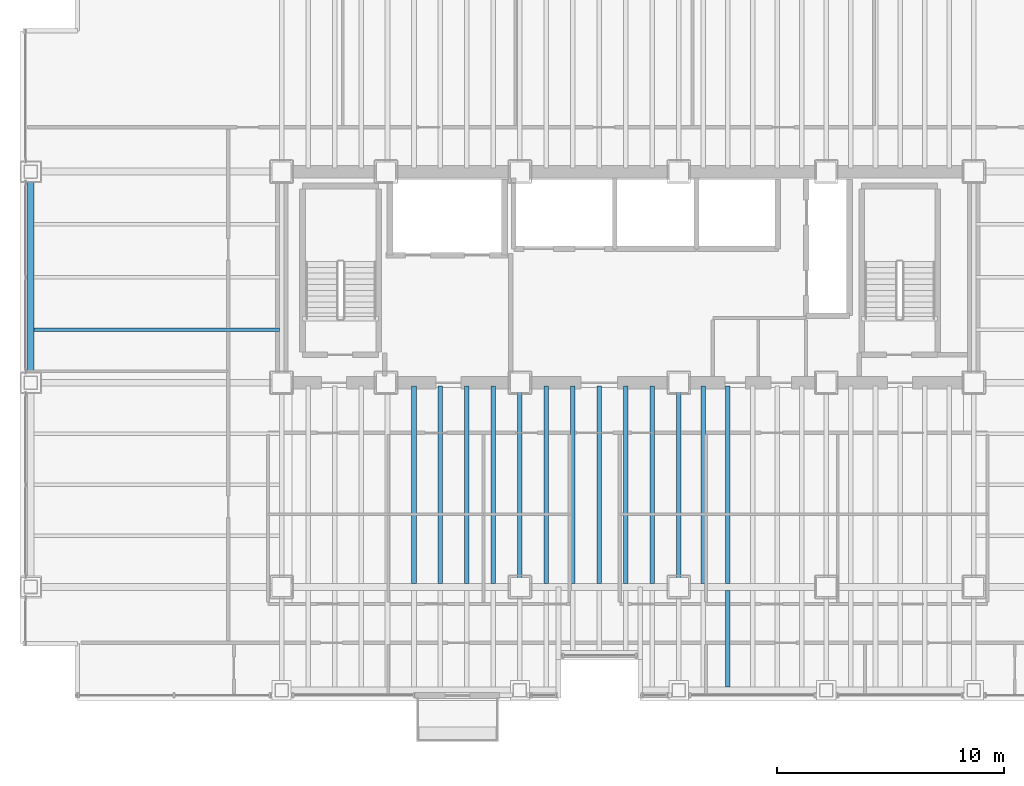
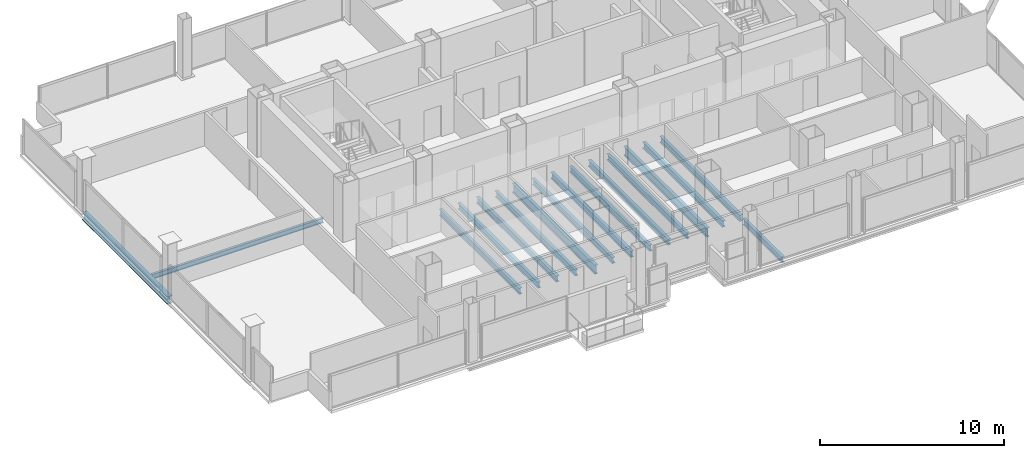
# One storey, part 5 of 21: 16 beams.
"""IFC4 building model written with IfcOpenShell, lengths in metres."""

from ifc_helpers import new_model, si_unit, direction, frame, origin, origin_2d, place, context, subcontext, project, spatial, i_section, extrude, material, material_profile, profile_set, type_object, element, save


model = new_model("IFC4")

# Units and contexts
model_context = context("Model", 3, precision=1e-05, world=origin(), true_north=direction((0.0, 1.0)))
body_context = subcontext(model_context, "Body", "Model", "MODEL_VIEW")
ifc_project = project(units=[si_unit("LENGTHUNIT", "METRE"), si_unit("AREAUNIT", "SQUARE_METRE"), si_unit("VOLUMEUNIT", "CUBIC_METRE"), si_unit("PLANEANGLEUNIT", "RADIAN"), si_unit("MASSUNIT", "GRAM", prefix="KILO")], contexts=[model_context])

# Site, building, storey
site_placement = place(None, origin())
site = spatial("IfcSite", under=ifc_project, at=site_placement, CompositionType="ELEMENT")
building_placement = place(site_placement, origin())
building = spatial("IfcBuilding", under=site, at=building_placement, Name="Noeulbin Bourse Tower", CompositionType="ELEMENT")
storey_placement = place(building_placement, frame((0.0, 0.0, 49.89990234375)))
storey = spatial("IfcBuildingStorey", under=building, at=storey_placement, Name="L12", CompositionType="ELEMENT", Elevation=49.89990234375)

# Beams
ifc_material = material(Name="Steel S355", Category="steel")
ifc_material_profile_1 = material_profile(ifc_material, i_section(OverallWidth=0.199951171875, OverallDepth=0.60009765625, WebThickness=0.010986328125, FlangeThickness=0.01708984375, FilletRadius=0.02197265625, at=origin_2d()), Name="H-600x200x11x17", Category="LoadBearing")
ifc_profile_set_1 = profile_set([ifc_material_profile_1], Name="Steel S355")
beam_type_1 = type_object("IfcBeamType", Name="BM-GRD-600", PredefinedType="USERDEFINED", material=ifc_profile_set_1)
for number, where, z_axis, x_axis, name in (
    (1, (24.0, 20.0, -0.47998046875), (0.0, 1.0, 0.0), (-1.0, 0.0, 0.0), "Tower Primary Girder NS L12-2.2"),
    (2, (31.0, 20.0, -0.47998046875), (0.0, 1.0, 0.0), (-1.0, 0.0, 0.0), "Tower Primary Girder NS L12-3.2"),
):
    element("IfcBeam", number, at=place(storey_placement, frame(where, z_axis=z_axis, x_axis=x_axis)), inside=storey, type_object=beam_type_1, Name=name, ObjectType="GIRDER", PredefinedType="USERDEFINED", context=body_context, shape_type="SweptSolid", body=[
        extrude(i_section(OverallWidth=0.199951171875, OverallDepth=0.60009765625, WebThickness=0.010986328125, FlangeThickness=0.01708984375, FilletRadius=0.02197265625, at=origin_2d()), origin(), (0.0, 0.0, 1.0), 9.0),
    ])
ifc_material_profile_2 = material_profile(ifc_material, i_section(OverallWidth=0.159912109375, OverallDepth=0.320068359375, WebThickness=0.006591796875, FlangeThickness=0.010009765625, FilletRadius=0.012939453125, at=origin_2d()), Name="H-320x160x6.5x10", Category="LoadBearing")
ifc_profile_set_2 = profile_set([ifc_material_profile_2], Name="Steel S355")
beam_type_2 = type_object("IfcBeamType", Name="BM-JST-320", PredefinedType="JOIST", material=ifc_profile_set_2)
beam_1_placement = place(storey_placement, frame((2.60009765625, 31.324951171875, -0.33984375), z_axis=(1.0, 0.0, 0.0), x_axis=(0.0, 1.0, 0.0)))
element("IfcBeam", 3, at=beam_1_placement, inside=storey, type_object=beam_type_2, Name="Wing Composite Joist L12-W73", PredefinedType="JOIST", context=body_context, shape_type="SweptSolid", body=[
    extrude(i_section(OverallWidth=0.159912109375, OverallDepth=0.320068359375, WebThickness=0.006591796875, FlangeThickness=0.010009765625, FilletRadius=0.012939453125, at=origin_2d()), origin(), (0.0, 0.0, 1.0), 10.7998046875),
])
ifc_material_profile_3 = material_profile(ifc_material, i_section(OverallWidth=0.199951171875, OverallDepth=0.39990234375, WebThickness=0.008056640625, FlangeThickness=0.012939453125, FilletRadius=0.01611328125, at=origin_2d()), Name="H-400x200x8x13", Category="LoadBearing")
ifc_profile_set_3 = profile_set([ifc_material_profile_3], Name="Steel S355")
beam_type_3 = type_object("IfcBeamType", Name="BM-SEC-400", PredefinedType="BEAM", material=ifc_profile_set_3)
for number, where, z_axis, x_axis, name in (
    (4, (19.333251953125, 20.14990234375, -0.3798828125), (0.0, 1.0, 0.0), (-1.0, 0.0, 0.0), "Tower Composite Joist L12-14"),
    (5, (20.5, 20.14990234375, -0.3798828125), (0.0, 1.0, 0.0), (-1.0, 0.0, 0.0), "Tower Composite Joist L12-17"),
    (6, (21.666748046875, 20.14990234375, -0.3798828125), (0.0, 1.0, 0.0), (-1.0, 0.0, 0.0), "Tower Composite Joist L12-20"),
    (7, (22.833251953125, 20.14990234375, -0.3798828125), (0.0, 1.0, 0.0), (-1.0, 0.0, 0.0), "Tower Composite Joist L12-23"),
    (8, (25.166748046875, 20.14990234375, -0.3798828125), (0.0, 1.0, 0.0), (-1.0, 0.0, 0.0), "Tower Composite Joist L12-26"),
    (9, (26.333251953125, 20.14990234375, -0.3798828125), (0.0, 1.0, 0.0), (-1.0, 0.0, 0.0), "Tower Composite Joist L12-29"),
    (10, (27.5, 20.14990234375, -0.3798828125), (0.0, 1.0, 0.0), (-1.0, 0.0, 0.0), "Tower Composite Joist L12-32"),
    (11, (28.666748046875, 20.14990234375, -0.3798828125), (0.0, 1.0, 0.0), (-1.0, 0.0, 0.0), "Tower Composite Joist L12-35"),
    (12, (29.833251953125, 20.14990234375, -0.3798828125), (0.0, 1.0, 0.0), (-1.0, 0.0, 0.0), "Tower Composite Joist L12-38"),
    (13, (32.083251953125, 20.14990234375, -0.3798828125), (0.0, 1.0, 0.0), (-1.0, 0.0, 0.0), "Tower Composite Joist L12-41"),
):
    element("IfcBeam", number, at=place(storey_placement, frame(where, z_axis=z_axis, x_axis=x_axis)), inside=storey, type_object=beam_type_3, Name=name, PredefinedType="BEAM", context=body_context, shape_type="SweptSolid", body=[
        extrude(i_section(OverallWidth=0.199951171875, OverallDepth=0.39990234375, WebThickness=0.008056640625, FlangeThickness=0.012939453125, FilletRadius=0.01611328125, at=origin_2d()), origin(), (0.0, 0.0, 1.0), 8.7001953125),
    ])
beam_2_placement = place(storey_placement, frame((33.166748046875, 15.60009765625, -0.3798828125), z_axis=(0.0, 1.0, 0.0), x_axis=(-1.0, 0.0, 0.0)))
element("IfcBeam", 14, at=beam_2_placement, inside=storey, type_object=beam_type_3, Name="Tower Composite Joist L12-43", PredefinedType="BEAM", context=body_context, shape_type="SweptSolid", body=[
    extrude(i_section(OverallWidth=0.199951171875, OverallDepth=0.39990234375, WebThickness=0.008056640625, FlangeThickness=0.012939453125, FilletRadius=0.01611328125, at=origin_2d()), origin(), (0.0, 0.0, 1.0), 4.25),
])
beam_3_placement = place(storey_placement, frame((33.166748046875, 20.14990234375, -0.3798828125), z_axis=(0.0, 1.0, 0.0), x_axis=(-1.0, 0.0, 0.0)))
element("IfcBeam", 15, at=beam_3_placement, inside=storey, type_object=beam_type_3, Name="Tower Composite Joist L12-44", PredefinedType="BEAM", context=body_context, shape_type="SweptSolid", body=[
    extrude(i_section(OverallWidth=0.199951171875, OverallDepth=0.39990234375, WebThickness=0.008056640625, FlangeThickness=0.012939453125, FilletRadius=0.01611328125, at=origin_2d()), origin(), (0.0, 0.0, 1.0), 8.7001953125),
])
ifc_material_profile_4 = material_profile(ifc_material, i_section(OverallWidth=0.300048828125, OverallDepth=0.488037109375, WebThickness=0.010986328125, FlangeThickness=0.01806640625, FilletRadius=0.02197265625, at=origin_2d()), Name="H-488x300x11x18", Category="LoadBearing")
ifc_profile_set_4 = profile_set([ifc_material_profile_4], Name="Steel S355")
beam_type_4 = type_object("IfcBeamType", Name="BM-SPN-488", PredefinedType="SPANDREL", material=ifc_profile_set_4)
beam_4_placement = place(storey_placement, frame((2.449951171875, 29.0, -0.423828125), z_axis=(0.0, 1.0, 0.0), x_axis=(-1.0, 0.0, 0.0)))
element("IfcBeam", 16, at=beam_4_placement, inside=storey, type_object=beam_type_4, Name="West Spandrel L12-2", PredefinedType="SPANDREL", context=body_context, shape_type="SweptSolid", body=[
    extrude(i_section(OverallWidth=0.300048828125, OverallDepth=0.488037109375, WebThickness=0.010986328125, FlangeThickness=0.01806640625, FilletRadius=0.02197265625, at=origin_2d()), origin(), (0.0, 0.0, 1.0), 9.300048828125),
])

save(model, "model.ifc")
